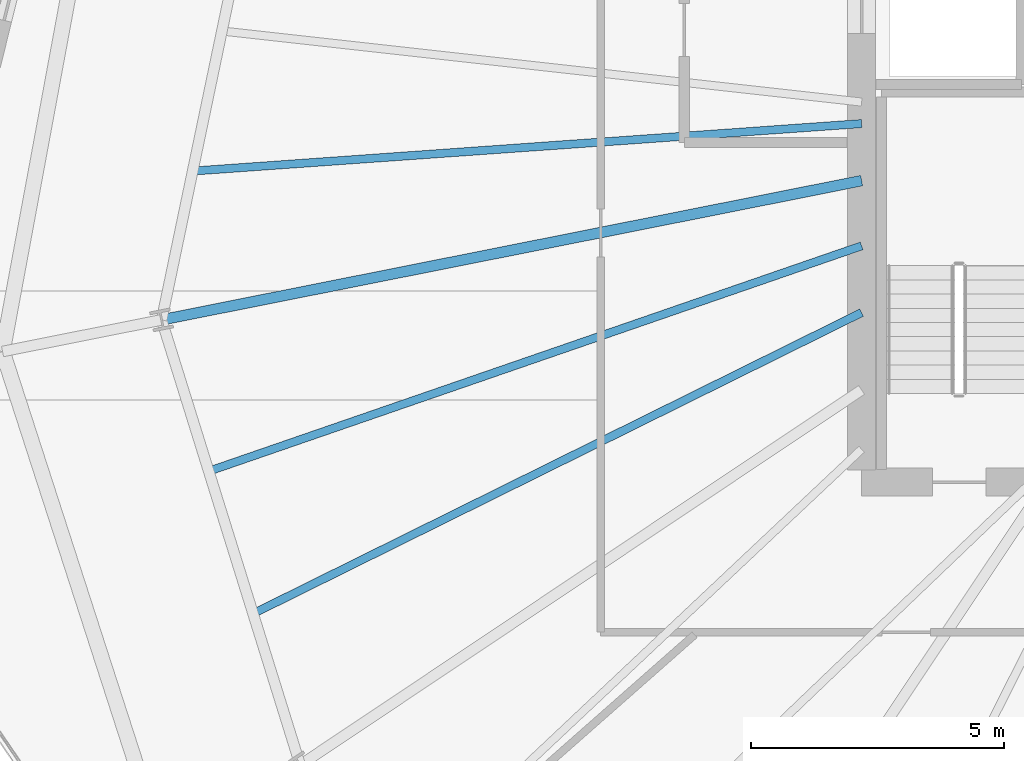
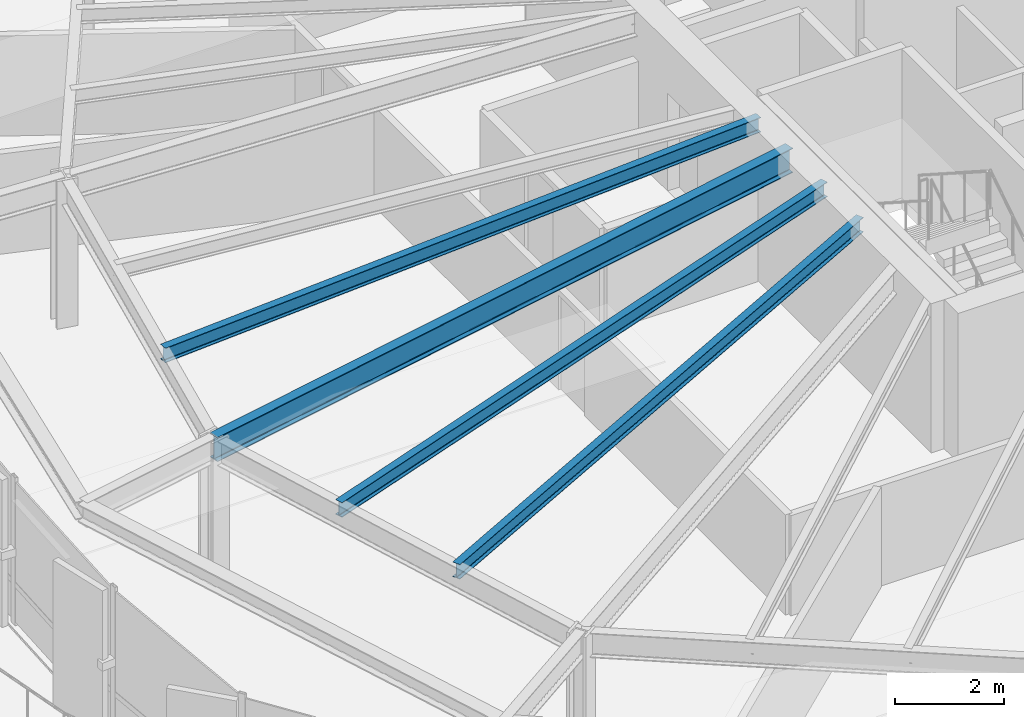
# One storey, part 8 of 35: 4 beams.
"""IFC4 building model written with IfcOpenShell, lengths in metres."""

from ifc_helpers import new_model, si_unit, direction, frame, origin, origin_2d, place, context, subcontext, project, spatial, i_section, extrude, source, transform, mapped, material, material_profile, profile_set, type_object, element, save


model = new_model("IFC4")

# Units and contexts
model_context = context("Model", 3, precision=1e-05, world=origin(), true_north=direction((0.0, 1.0)))
body_context = subcontext(model_context, "Body", "Model", "MODEL_VIEW")
ifc_project = project(units=[si_unit("LENGTHUNIT", "METRE"), si_unit("AREAUNIT", "SQUARE_METRE"), si_unit("VOLUMEUNIT", "CUBIC_METRE"), si_unit("PLANEANGLEUNIT", "RADIAN"), si_unit("MASSUNIT", "GRAM", prefix="KILO"), si_unit("THERMODYNAMICTEMPERATUREUNIT", "KELVIN")], contexts=[model_context])

# Site, building, storey
site_placement = place(None, origin())
site = spatial("IfcSite", under=ifc_project, at=site_placement, CompositionType="ELEMENT")
building_placement = place(site_placement, origin())
building = spatial("IfcBuilding", under=site, at=building_placement, Name="Kethvar Cultural Tower", CompositionType="ELEMENT")
storey_placement = place(building_placement, frame((0.0, 0.0, 100.0)))
storey = spatial("IfcBuildingStorey", under=building, at=storey_placement, Name="L24", CompositionType="ELEMENT", Elevation=100.0)

# Beams
ifc_material = material(Name="Steel S355J2", Category="steel")
ifc_material_profile_1 = material_profile(ifc_material, i_section(OverallWidth=0.2099609375, OverallDepth=0.550048828125, WebThickness=0.010986328125, FlangeThickness=0.01708984375, FilletRadius=0.02392578125, at=origin_2d()), Name="Steel S355J2 — IPE550")
ifc_profile_set_1 = profile_set([ifc_material_profile_1], Name="Steel S355J2 — IPE550")
beam_type_1 = type_object("IfcBeamType", Name="BM-IPE550", PredefinedType="BEAM", material=ifc_profile_set_1)
shared_shape_1 = source(origin(), body_context, "Body", "SweptSolid", [
    extrude(i_section(OverallWidth=0.2099609375, OverallDepth=0.550048828125, WebThickness=0.010986328125, FlangeThickness=0.01708984375, FilletRadius=0.02392578125, at=origin_2d()), origin(), (0.0, 0.0, 1.0), 14.085205078125),
])
beam_1_placement = place(storey_placement, frame((38.0, 26.049560546875, 3.072998046875), z_axis=(-0.98078679373, -0.195082713854, 0.0), x_axis=(0.195082713854, -0.98078679373, 0.0)))
element("IfcBeam", 1, at=beam_1_placement, inside=storey, type_object=beam_type_1, Name="L24 Primary Radial Beam RB-09", PredefinedType="BEAM", context=body_context, shape_type="MappedRepresentation", body=[
    mapped(shared_shape_1, transform((0.0, 0.0, 0.0), scale=1.0)),
])
ifc_material_profile_2 = material_profile(ifc_material, i_section(OverallWidth=0.159912109375, OverallDepth=0.330078125, WebThickness=0.007568359375, FlangeThickness=0.011474609375, FilletRadius=0.01806640625, at=origin_2d()), Name="Steel S355J2 — IPE330")
ifc_profile_set_2 = profile_set([ifc_material_profile_2], Name="Steel S355J2 — IPE330")
beam_type_2 = type_object("IfcBeamType", Name="BM-J330", PredefinedType="JOIST", material=ifc_profile_set_2)
shared_shape_2 = source(origin(), body_context, "Body", "SweptSolid", [
    extrude(i_section(OverallWidth=0.159912109375, OverallDepth=0.330078125, WebThickness=0.007568359375, FlangeThickness=0.011474609375, FilletRadius=0.01806640625, at=origin_2d()), origin(), (0.0, 0.0, 1.0), 13.234619140625),
])
beam_2_placement = place(storey_placement, frame((38.0, 27.175537109375, 3.18310546875), z_axis=(-0.997490530945, -0.070800004767, 0.0), x_axis=(0.070800004767, -0.997490530945, 0.0)))
element("IfcBeam", 2, at=beam_2_placement, inside=storey, type_object=beam_type_2, Name="L24 Composite Floor Joist J-08B", PredefinedType="JOIST", context=body_context, shape_type="MappedRepresentation", body=[
    mapped(shared_shape_2, transform((0.0, 0.0, 0.0), scale=1.0)),
])
shared_shape_3 = source(origin(), body_context, "Body", "SweptSolid", [
    extrude(i_section(OverallWidth=0.159912109375, OverallDepth=0.330078125, WebThickness=0.007568359375, FlangeThickness=0.011474609375, FilletRadius=0.01806640625, at=origin_2d()), origin(), (0.0, 0.0, 1.0), 13.630615234375),
])
beam_3_placement = place(storey_placement, frame((38.0, 24.762451171875, 3.18310546875), z_axis=(-0.945269577646, -0.326290400682, 0.0), x_axis=(0.326290400682, -0.945269577646, 0.0)))
element("IfcBeam", 3, at=beam_3_placement, inside=storey, type_object=beam_type_2, Name="L24 Composite Floor Joist J-09A", PredefinedType="JOIST", context=body_context, shape_type="MappedRepresentation", body=[
    mapped(shared_shape_3, transform((0.0, 0.0, 0.0), scale=1.0)),
])
shared_shape_4 = source(origin(), body_context, "Body", "SweptSolid", [
    extrude(i_section(OverallWidth=0.159912109375, OverallDepth=0.330078125, WebThickness=0.007568359375, FlangeThickness=0.011474609375, FilletRadius=0.01806640625, at=origin_2d()), origin(), (0.0, 0.0, 1.0), 13.39892578125),
])
beam_4_placement = place(storey_placement, frame((38.0, 23.44580078125, 3.18310546875), z_axis=(-0.896292467417, -0.44346342899, 0.0), x_axis=(0.44346342899, -0.896292467417, 0.0)))
element("IfcBeam", 4, at=beam_4_placement, inside=storey, type_object=beam_type_2, Name="L24 Composite Floor Joist J-09B", PredefinedType="JOIST", context=body_context, shape_type="MappedRepresentation", body=[
    mapped(shared_shape_4, transform((0.0, 0.0, 0.0), scale=1.0)),
])

save(model, "model.ifc")
